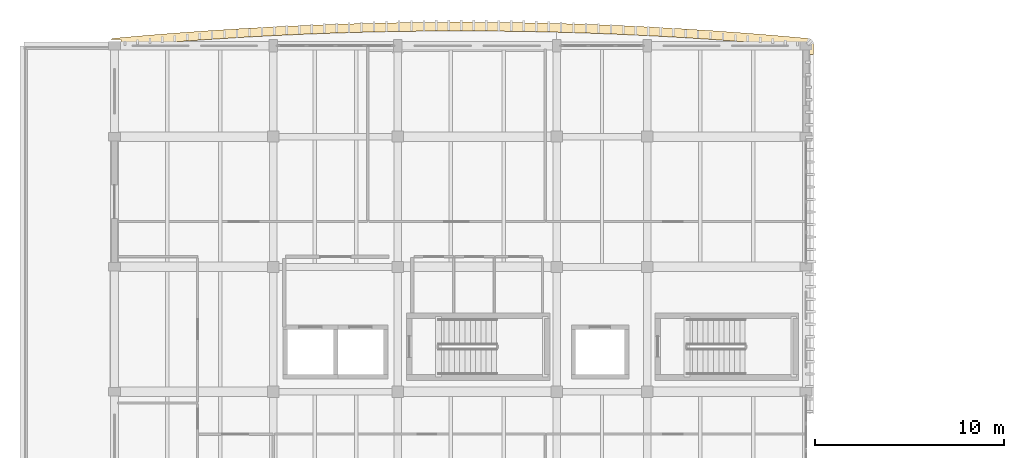
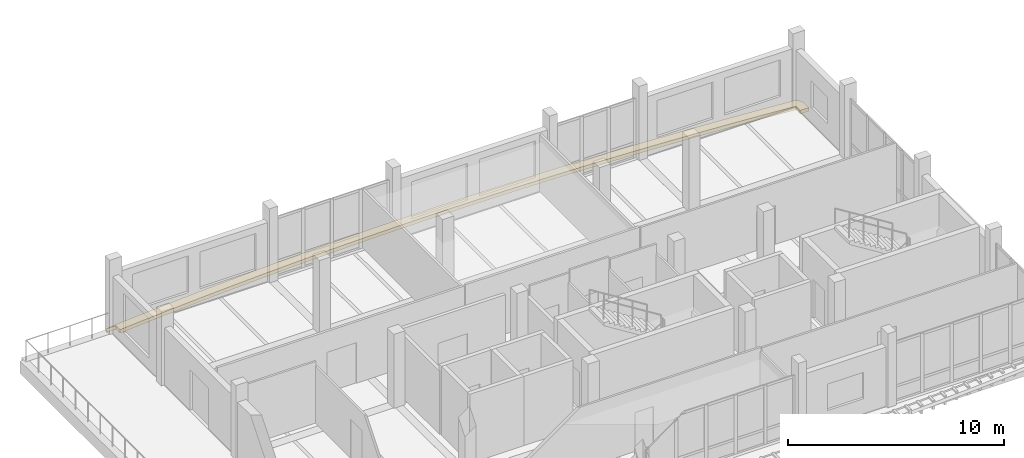
# One storey, part 15 of 20: 1 covering.
"""IFC4 building model written with IfcOpenShell, lengths in metres."""

from ifc_helpers import new_model, si_unit, direction, frame, origin, place, context, subcontext, project, spatial, polyline, outline, extrude, material, layer, layer_set, type_object, element, save


model = new_model("IFC4")

# Units and contexts
model_context = context("Model", 3, precision=1e-05, world=origin(), true_north=direction((0.0, 1.0)))
body_context = subcontext(model_context, "Body", "Model", "MODEL_VIEW")
ifc_project = project(units=[si_unit("LENGTHUNIT", "METRE"), si_unit("AREAUNIT", "SQUARE_METRE"), si_unit("VOLUMEUNIT", "CUBIC_METRE"), si_unit("PLANEANGLEUNIT", "RADIAN"), si_unit("MASSUNIT", "GRAM", prefix="KILO")], contexts=[model_context])

# Site, building, storey
site_placement = place(None, origin())
site = spatial("IfcSite", under=ifc_project, at=site_placement, CompositionType="ELEMENT")
building_placement = place(site_placement, origin())
building = spatial("IfcBuilding", under=site, at=building_placement, Name="Dornvale Research Institute", CompositionType="ELEMENT")
storey_placement = place(building_placement, frame((0.0, 0.0, 34.199951171875)))
storey = spatial("IfcBuildingStorey", under=building, at=storey_placement, Name="L07", CompositionType="ELEMENT", Elevation=34.199951171875)

# Covering
ifc_material = material(Name="Polychrome Glazed Terracotta Visor Rib Ceramic", Category="masonry")
ifc_layer = layer(ifc_material, 0.199951171875)
ifc_layer_set = layer_set([ifc_layer], Name="Polychrome Glazed Terracotta Visor Rib Ceramic")
covering_type = type_object("IfcCoveringType", Name="Covering_VisorBrim_Shelf", PredefinedType="CLADDING", material=ifc_layer_set)
covering_placement = place(storey_placement, frame((0.0, 0.0, -0.280029296875)))
element("IfcCovering", 1, at=covering_placement, inside=storey, type_object=covering_type, Name="L07 V5 canted bowed-brim visor hood #30", PredefinedType="CLADDING", context=body_context, shape_type="SweptSolid", body=[
    extrude(outline(polyline([(4.764404296875, 122.501708984375), (6.427978515625, 122.649169921875), (6.431396484375, 122.6494140625), (8.094970703125, 122.782958984375), (8.098388671875, 122.783203125), (9.761962890625, 122.902587890625), (9.765380859375, 122.90283203125), (11.428955078125, 123.00830078125), (11.432373046875, 123.00830078125), (13.09619140625, 123.099609375), (13.099609375, 123.099853515625), (14.76318359375, 123.17724609375), (14.7666015625, 123.17724609375), (16.43017578125, 123.240478515625), (16.43359375, 123.240478515625), (18.09716796875, 123.289794921875), (18.1005859375, 123.289794921875), (19.76416015625, 123.324951171875), (19.767578125, 123.3251953125), (21.431396484375, 123.34619140625), (21.434814453125, 123.34619140625), (23.098388671875, 123.353271484375), (23.101806640625, 123.353271484375), (24.765380859375, 123.34619140625), (24.768798828125, 123.34619140625), (26.432373046875, 123.3251953125), (26.435791015625, 123.324951171875), (28.099365234375, 123.289794921875), (28.102783203125, 123.289794921875), (29.766357421875, 123.240478515625), (29.769775390625, 123.240478515625), (31.43359375, 123.17724609375), (31.43701171875, 123.17724609375), (33.1005859375, 123.099853515625), (33.10400390625, 123.099609375), (34.767578125, 123.00830078125), (34.77099609375, 123.00830078125), (36.4345703125, 122.90283203125), (36.43798828125, 122.902587890625), (38.1015625, 122.783203125), (38.10498046875, 122.782958984375), (39.768798828125, 122.6494140625), (39.77197265625, 122.649169921875), (41.435546875, 122.501708984375), (41.57861328125, 122.46142578125), (41.697509765625, 122.372314453125), (41.77587890625, 122.24609375), (41.80322265625, 122.10009765625), (41.80322265625, 121.64990234375), (41.340087890625, 121.64990234375), (41.340087890625, 122.045166015625), (39.7314453125, 122.187744140625), (38.068115234375, 122.3212890625), (36.405029296875, 122.4404296875), (34.741943359375, 122.5458984375), (33.078857421875, 122.63720703125), (31.415771484375, 122.714599609375), (29.75244140625, 122.777587890625), (28.08935546875, 122.826904296875), (26.42626953125, 122.86181640625), (24.76318359375, 122.883056640625), (23.10009765625, 122.889892578125), (21.43701171875, 122.883056640625), (19.773681640625, 122.86181640625), (18.110595703125, 122.826904296875), (16.447509765625, 122.777587890625), (14.7841796875, 122.714599609375), (13.12109375, 122.63720703125), (11.4580078125, 122.5458984375), (9.794921875, 122.4404296875), (8.1318359375, 122.3212890625), (6.468505859375, 122.187744140625), (5.14990234375, 122.07080078125), (5.14990234375, 122.449951171875), (4.606201171875, 122.449951171875), (4.621337890625, 122.46142578125), (4.764404296875, 122.501708984375)])), origin(), (0.0, 0.0, 1.0), 0.2001953125),
])

save(model, "model.ifc")
